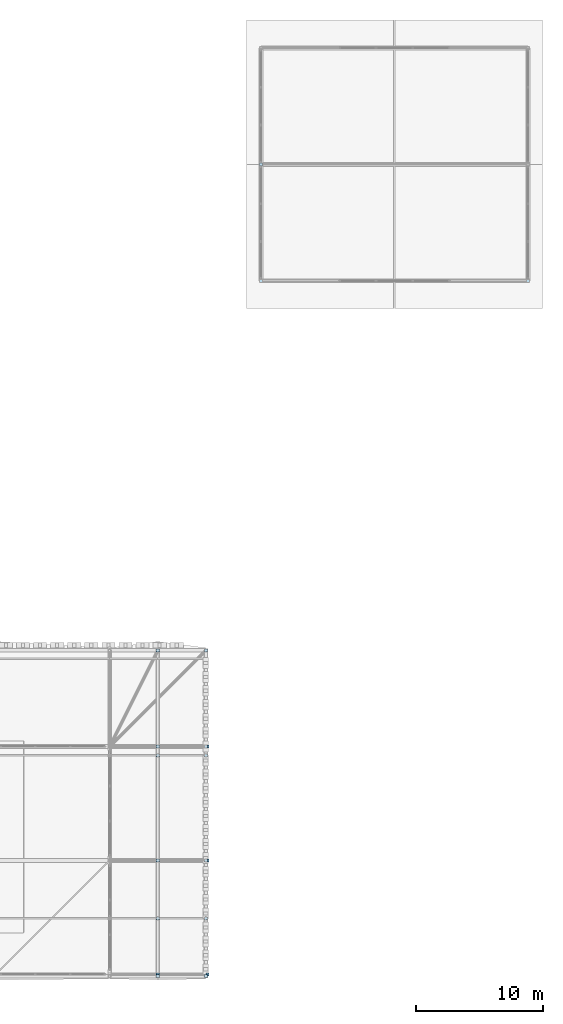
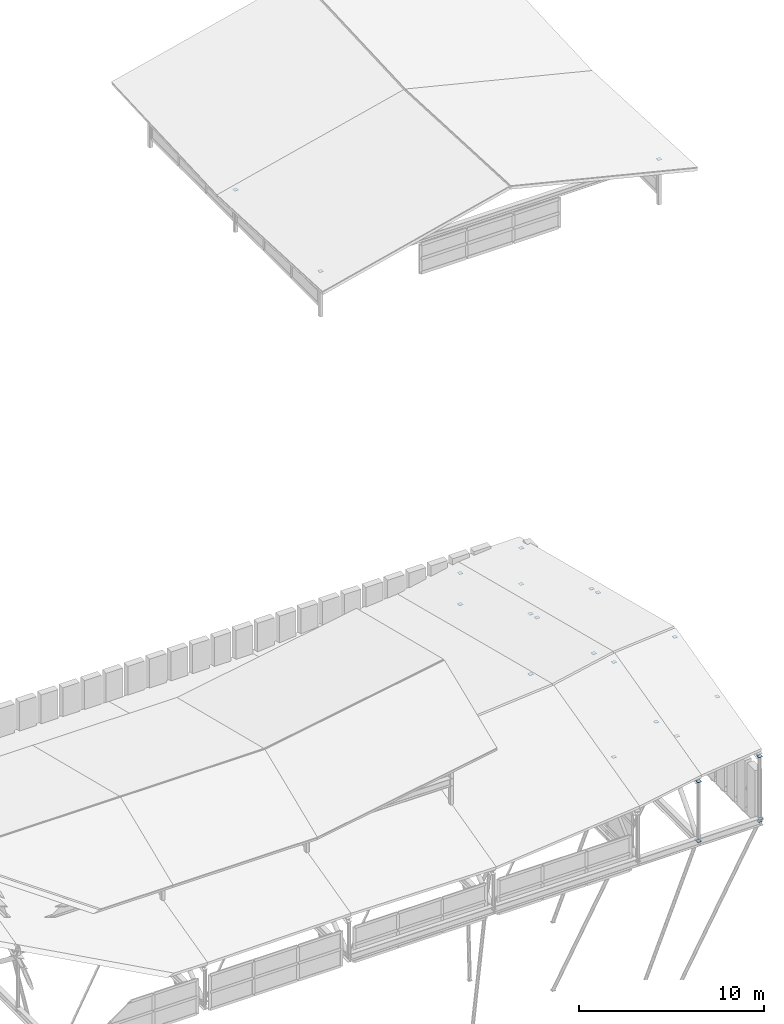
# One storey, part 39 of 42: 25 plates.
"""IFC4 building model written with IfcOpenShell, lengths in metres."""

from ifc_helpers import new_model, si_unit, direction, frame, origin, origin_2d, place, context, subcontext, project, spatial, rectangle, extrude, material, layer, layer_set, type_object, element, save


model = new_model("IFC4")

# Units and contexts
model_context = context("Model", 3, precision=1e-05, world=origin(), true_north=direction((0.0, 1.0)))
body_context = subcontext(model_context, "Body", "Model", "MODEL_VIEW")
ifc_project = project(units=[si_unit("LENGTHUNIT", "METRE"), si_unit("AREAUNIT", "SQUARE_METRE"), si_unit("VOLUMEUNIT", "CUBIC_METRE"), si_unit("PLANEANGLEUNIT", "RADIAN"), si_unit("MASSUNIT", "GRAM", prefix="KILO")], contexts=[model_context])

# Site, building, storey
site_placement = place(None, origin())
site = spatial("IfcSite", under=ifc_project, at=site_placement, CompositionType="ELEMENT")
building_placement = place(site_placement, origin())
building = spatial("IfcBuilding", under=site, at=building_placement, Name="Bozkorgan Art Gallery", CompositionType="ELEMENT")
storey_placement = place(building_placement, frame((0.0, 0.0, 28.800048828125)))
storey = spatial("IfcBuildingStorey", under=building, at=storey_placement, Name="RF", CompositionType="ELEMENT", Elevation=28.800048828125)

# Plates
ifc_material = material(Name="Steel S355J2", Category="steel")
ifc_layer = layer(ifc_material, 0.02001953125, Name="Steel S355J2")
ifc_layer_set = layer_set([ifc_layer], Name="Steel S355J2")
plate_type = type_object("IfcPlateType", Name="PLATE-EC-24", PredefinedType="USERDEFINED", material=ifc_layer_set)
for number, where, z_axis, x_axis, name in (
    (1, (72.739990234375, 2.0, 0.239990234375), (0.0, 0.0, 1.0), (1.0, 0.0, 0.0), "ROOF-V1-MAIN east swept-eave diagonal tree-strut 1 end cap 2"),
    (2, (68.800048828125, 2.0, 0.239990234375), (0.0, 0.0, 1.0), (1.0, 0.0, 0.0), "ROOF-V1-MAIN east mid-overhang diagonal tree-strut 1 end cap 2"),
    (3, (72.739990234375, 11.0, 0.239990234375), (0.0, 0.0, 1.0), (1.0, 0.0, 0.0), "ROOF-V1-MAIN east swept-eave diagonal tree-strut 2 end cap 2"),
    (4, (68.800048828125, 11.0, 0.239990234375), (0.0, 0.0, 1.0), (1.0, 0.0, 0.0), "ROOF-V1-MAIN east mid-overhang diagonal tree-strut 2 end cap 2"),
    (5, (72.739990234375, 20.0, 0.239990234375), (0.0, 0.0, 1.0), (1.0, 0.0, 0.0), "ROOF-V1-MAIN east swept-eave diagonal tree-strut 3 end cap 2"),
    (6, (68.800048828125, 20.0, 0.239990234375), (0.0, 0.0, 1.0), (1.0, 0.0, 0.0), "ROOF-V1-MAIN east mid-overhang diagonal tree-strut 3 end cap 2"),
    (7, (72.60009765625, 27.60009765625, 0.239990234375), (0.0, 0.0, 1.0), (1.0, 0.0, 0.0), "ROOF-V1-MAIN northeast corner diagonal tree-strut end cap 2"),
    (8, (68.800048828125, 27.60009765625, 0.239990234375), (0.0, 0.0, 1.0), (1.0, 0.0, 0.0), "ROOF-V1-MAIN northeast mid-overhang diagonal tree-strut end cap 2"),
    (9, (68.800048828125, 1.85009765625, 4.17724609375), (0.0, 0.0, 1.0), (1.0, 0.0, 0.0), "Truss V1 post cap 9.0"),
    (10, (68.800048828125, 1.85009765625, 0.239990234375), (0.0, 0.0, 1.0), (1.0, 0.0, 0.0), "Truss V1 post base cap 9.0"),
    (11, (68.800048828125, 6.425048828125, 5.3349609375), (0.0, 0.0, 1.0), (1.0, 0.0, 0.0), "Truss V1 post cap 9.1"),
    (12, (68.800048828125, 11.0, 6.492431640625), (0.0, 0.0, 1.0), (1.0, 0.0, 0.0), "Truss V1 post cap 9.2"),
    (13, (68.800048828125, 19.300048828125, 4.392333984375), (0.0, 0.0, 1.0), (1.0, 0.0, 0.0), "Truss V1 post cap 9.3"),
    (14, (68.800048828125, 20.0, 4.215087890625), (0.0, 0.0, 1.0), (1.0, 0.0, 0.0), "Truss V1 post cap 9.4"),
    (15, (68.800048828125, 27.60009765625, 2.292236328125), (0.0, 0.0, 1.0), (1.0, 0.0, 0.0), "Truss V1 post cap 9.5"),
    (16, (72.60009765625, 1.85009765625, 4.501953125), (0.0, 0.0, 1.0), (1.0, 0.0, 0.0), "Truss V1 post cap 10.0"),
    (17, (72.60009765625, 1.85009765625, 0.239990234375), (0.0, 0.0, 1.0), (1.0, 0.0, 0.0), "Truss V1 post base cap 10.0"),
    (18, (72.60009765625, 6.425048828125, 5.659423828125), (0.0, 0.0, 1.0), (1.0, 0.0, 0.0), "Truss V1 post cap 10.1"),
    (19, (72.60009765625, 11.0, 6.817138671875), (0.0, 0.0, 1.0), (1.0, 0.0, 0.0), "Truss V1 post cap 10.2"),
    (20, (72.60009765625, 19.300048828125, 4.717041015625), (0.0, 0.0, 1.0), (1.0, 0.0, 0.0), "Truss V1 post cap 10.3"),
    (21, (72.60009765625, 20.0, 4.539794921875), (0.0, 0.0, 1.0), (1.0, 0.0, 0.0), "Truss V1 post cap 10.4"),
    (22, (72.60009765625, 27.60009765625, 2.61669921875), (0.0, 0.0, 1.0), (1.0, 0.0, 0.0), "Truss V1 post cap 10.5"),
    (23, (76.949951171875, 56.800048828125, 1.638427734375), (0.0, 0.0, 1.0), (1.0, 0.0, 0.0), "Clerestory V4 post cap 1W"),
    (24, (98.050048828125, 56.800048828125, 1.638427734375), (0.0, 0.0, 1.0), (1.0, 0.0, 0.0), "Clerestory V4 post cap 1E"),
    (25, (76.949951171875, 66.0, 1.4267578125), (0.0, 0.0, 1.0), (1.0, 0.0, 0.0), "Clerestory V4 post cap 2W"),
):
    element("IfcPlate", number, at=place(storey_placement, frame(where, z_axis=z_axis, x_axis=x_axis)), inside=storey, type_object=plate_type, Name=name, ObjectType="END CAP PLATE", PredefinedType="USERDEFINED", context=body_context, shape_type="SweptSolid", body=[
        extrude(rectangle(XDim=0.239990234375, YDim=0.239990234375, at=origin_2d()), origin(), (0.0, 0.0, 1.0), 0.02001953125),
    ])

save(model, "model.ifc")
